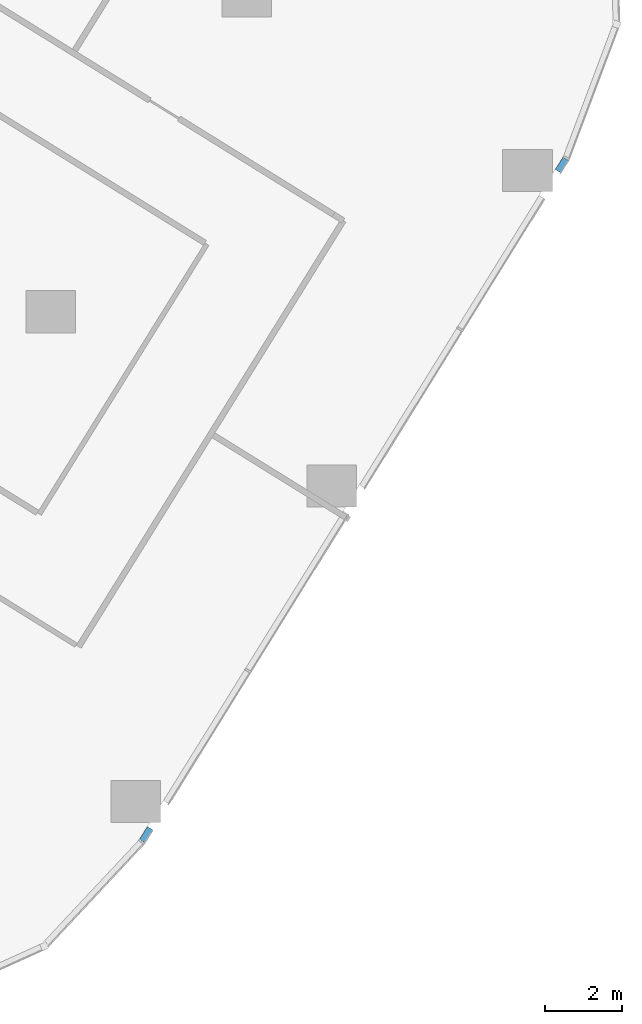
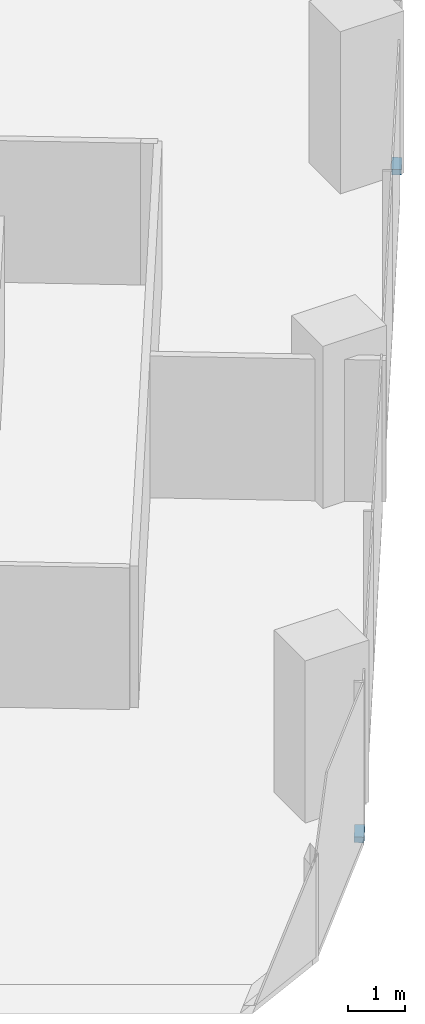
# One storey, part 16 of 34: 2 members, 1 element without a shape of its own.
"""IFC4 building model written with IfcOpenShell, lengths in metres."""

from ifc_helpers import new_model, si_unit, direction, frame, origin, origin_2d, place, context, subcontext, project, spatial, rectangle, extrude, material, material_profile, profile_set, type_object, element, aggregate, save


model = new_model("IFC4")

# Units and contexts
model_context = context("Model", 3, precision=1e-05, world=origin(), true_north=direction((0.0, 1.0)))
body_context = subcontext(model_context, "Body", "Model", "MODEL_VIEW")
ifc_project = project(units=[si_unit("LENGTHUNIT", "METRE"), si_unit("AREAUNIT", "SQUARE_METRE"), si_unit("VOLUMEUNIT", "CUBIC_METRE"), si_unit("PLANEANGLEUNIT", "RADIAN"), si_unit("MASSUNIT", "GRAM", prefix="KILO")], contexts=[model_context])

# Site, building, storey
site_placement = place(None, origin())
site = spatial("IfcSite", under=ifc_project, at=site_placement, CompositionType="ELEMENT")
building_placement = place(site_placement, origin())
building = spatial("IfcBuilding", under=site, at=building_placement, Name="Orlundy Tower", CompositionType="ELEMENT")
storey_placement = place(building_placement, frame((0.0, 0.0, 40.800048828125)))
storey = spatial("IfcBuildingStorey", under=building, at=storey_placement, Name="L08", CompositionType="ELEMENT", Elevation=40.800048828125)

# Curtain wall, members
ifc_material_1 = material(Name="Aluminium bronze anodised", Category="aluminium")
curtain_wall_type = type_object("IfcCurtainWallType", Name="CW1 wall", PredefinedType="NOTDEFINED", material=ifc_material_1)
curtain_wall_placement = place(storey_placement, origin())
curtain_wall = element("IfcCurtainWall", 1, at=curtain_wall_placement, inside=storey, type_object=curtain_wall_type, Name="CW1 run 011", PredefinedType="NOTDEFINED")
ifc_material_2 = material(Name="Aluminium bronze anodised", Category="aluminium")
ifc_material_profile = material_profile(ifc_material_2, rectangle(XDim=0.179931640625, YDim=0.1201171875, at=origin_2d()), Name="CW1 transom 180x120")
ifc_profile_set = profile_set([ifc_material_profile], Name="Aluminium bronze anodised")
member_type = type_object("IfcMemberType", Name="CW1 transom 180x120", PredefinedType="USERDEFINED", material=ifc_profile_set)
member_1_placement = place(storey_placement, frame((56.156982421875, -22.524169921875, -0.360107421875), z_axis=(-0.527507151748, -0.849550589933, 0.0), x_axis=(0.849550589933, -0.527507151748, 0.0)))
member_1 = element("IfcMember", 2, at=member_1_placement, type_object=member_type, Name="CW1 transom", ObjectType="TRANSOM", PredefinedType="USERDEFINED", context=body_context, shape_type="SweptSolid", body=[
    extrude(rectangle(XDim=0.179931640625, YDim=0.1201171875, at=origin_2d()), origin(), (0.0, 0.0, 1.0), 0.379150390625),
])
member_2_placement = place(storey_placement, frame((45.3017578125, -40.008056640625, -0.360107421875), z_axis=(-0.527848266373, -0.849338688443, 0.0), x_axis=(0.849338688443, -0.527848266373, 0.0)))
member_2 = element("IfcMember", 3, at=member_2_placement, type_object=member_type, Name="CW1 transom", ObjectType="TRANSOM", PredefinedType="USERDEFINED", context=body_context, shape_type="SweptSolid", body=[
    extrude(rectangle(XDim=0.179931640625, YDim=0.1201171875, at=origin_2d()), origin(), (0.0, 0.0, 1.0), 0.387939453125),
])
aggregate(curtain_wall, [member_1, member_2])

save(model, "model.ifc")
